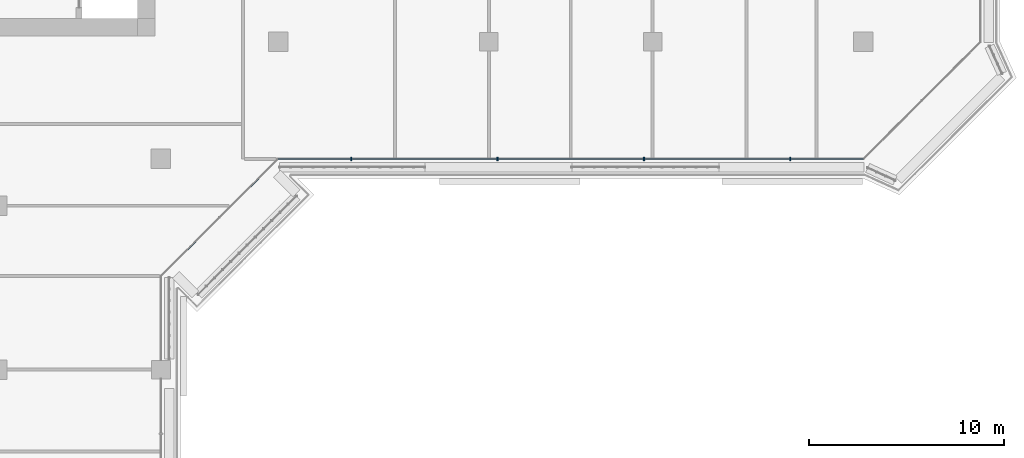
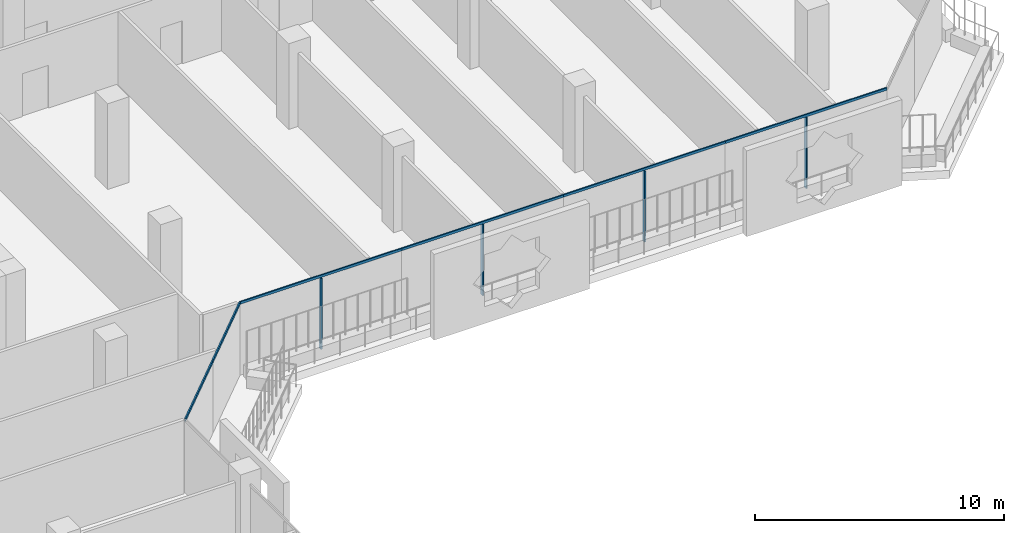
# One storey, part 3 of 21: 10 members, 2 elements without a shape of their own.
"""IFC4 building model written with IfcOpenShell, lengths in metres."""

from ifc_helpers import new_model, si_unit, direction, frame, origin, origin_2d, place, context, subcontext, project, spatial, rectangle, extrude, material, layer, layer_set, material_profile, profile_set, type_object, element, aggregate, save


model = new_model("IFC4")

# Units and contexts
model_context = context("Model", 3, precision=1e-05, world=origin(), true_north=direction((0.0, 1.0)))
body_context = subcontext(model_context, "Body", "Model", "MODEL_VIEW")
ifc_project = project(units=[si_unit("LENGTHUNIT", "METRE"), si_unit("AREAUNIT", "SQUARE_METRE"), si_unit("VOLUMEUNIT", "CUBIC_METRE"), si_unit("PLANEANGLEUNIT", "RADIAN"), si_unit("MASSUNIT", "GRAM", prefix="KILO")], contexts=[model_context])

# Site, building, storey
site_placement = place(None, origin())
site = spatial("IfcSite", under=ifc_project, at=site_placement, CompositionType="ELEMENT")
building_placement = place(site_placement, origin())
building = spatial("IfcBuilding", under=site, at=building_placement, Name="Kawkab Arch Medical Tower", CompositionType="ELEMENT")
storey_placement = place(building_placement, frame((0.0, 0.0, 200.39990234375)))
storey = spatial("IfcBuildingStorey", under=building, at=storey_placement, Name="L46", CompositionType="ELEMENT", Elevation=200.39990234375)

# Curtain wall, members
ifc_material_1 = material(Name="Bronze anodised aluminium curtain wall frame", Category="aluminium")
ifc_layer_1 = layer(ifc_material_1, 0.159912109375)
ifc_layer_set_1 = layer_set([ifc_layer_1], Name="Bronze anodised aluminium curtain wall frame")
curtain_wall_type_1 = type_object("IfcCurtainWallType", Name="CW1 ward curtain wall", PredefinedType="NOTDEFINED", material=ifc_layer_set_1)
placement = place(storey_placement, origin())
curtain_wall_1 = element("IfcCurtainWall", 1, at=placement, inside=storey, type_object=curtain_wall_type_1, Name="CW1 Ward curtain wall R07", PredefinedType="NOTDEFINED")
ifc_material_2 = material(Name="Bronze anodised aluminium curtain wall frame", Category="aluminium")
ifc_material_profile_1 = material_profile(ifc_material_2, rectangle(XDim=0.179931640625, YDim=0.06005859375, at=origin_2d()), Name="AL 60x180")
ifc_profile_set_1 = profile_set([ifc_material_profile_1], Name="Bronze anodised aluminium curtain wall frame")
member_type_1 = type_object("IfcMemberType", Name="CW1 mullion 60 x 180", PredefinedType="MULLION", material=ifc_profile_set_1)
member_1_placement = place(storey_placement, frame((34.949951171875, -31.199951171875, 0.0), z_axis=(0.0, 0.0, 1.0), x_axis=(0.0, 1.0, 0.0)))
member_1 = element("IfcMember", 2, at=member_1_placement, type_object=member_type_1, Name="CW1 mullion 1.1", PredefinedType="MULLION", context=body_context, shape_type="SweptSolid", body=[
    extrude(rectangle(XDim=0.179931640625, YDim=0.06005859375, at=origin_2d()), origin(), (0.0, 0.0, 1.0), 3.47998046875),
])
member_2_placement = place(storey_placement, frame((42.449951171875, -31.199951171875, 0.0), z_axis=(0.0, 0.0, 1.0), x_axis=(0.0, 1.0, 0.0)))
member_2 = element("IfcMember", 3, at=member_2_placement, type_object=member_type_1, Name="CW1 mullion 2.1", PredefinedType="MULLION", context=body_context, shape_type="SweptSolid", body=[
    extrude(rectangle(XDim=0.179931640625, YDim=0.06005859375, at=origin_2d()), origin(), (0.0, 0.0, 1.0), 3.47998046875),
])
member_3_placement = place(storey_placement, frame((49.949951171875, -31.199951171875, 0.0), z_axis=(0.0, 0.0, 1.0), x_axis=(0.0, 1.0, 0.0)))
member_3 = element("IfcMember", 4, at=member_3_placement, type_object=member_type_1, Name="CW1 mullion 3.1", PredefinedType="MULLION", context=body_context, shape_type="SweptSolid", body=[
    extrude(rectangle(XDim=0.179931640625, YDim=0.06005859375, at=origin_2d()), origin(), (0.0, 0.0, 1.0), 3.47998046875),
])
member_4_placement = place(storey_placement, frame((57.449951171875, -31.199951171875, 0.0), z_axis=(0.0, 0.0, 1.0), x_axis=(0.0, 1.0, 0.0)))
member_4 = element("IfcMember", 5, at=member_4_placement, type_object=member_type_1, Name="CW1 mullion 4.1", PredefinedType="MULLION", context=body_context, shape_type="SweptSolid", body=[
    extrude(rectangle(XDim=0.179931640625, YDim=0.06005859375, at=origin_2d()), origin(), (0.0, 0.0, 1.0), 3.47998046875),
])
ifc_material_3 = material(Name="Bronze anodised aluminium curtain wall frame", Category="aluminium")
ifc_material_profile_2 = material_profile(ifc_material_3, rectangle(XDim=0.06005859375, YDim=0.1201171875, at=origin_2d()), Name="AL 60x120")
ifc_profile_set_2 = profile_set([ifc_material_profile_2], Name="Bronze anodised aluminium curtain wall frame")
member_type_2 = type_object("IfcMemberType", Name="CW1 transom 120 x 60", PredefinedType="USERDEFINED", material=ifc_profile_set_2)
member_5_placement = place(storey_placement, frame((31.199951171875, -31.199951171875, 3.5400390625), z_axis=(1.0, 0.0, 0.0), x_axis=(0.0, 1.0, 0.0)))
member_5 = element("IfcMember", 6, at=member_5_placement, type_object=member_type_2, Name="CW1 transom 1", ObjectType="TRANSOM", PredefinedType="USERDEFINED", context=body_context, shape_type="SweptSolid", body=[
    extrude(rectangle(XDim=0.06005859375, YDim=0.1201171875, at=origin_2d()), origin(), (0.0, 0.0, 1.0), 7.5),
])
member_6_placement = place(storey_placement, frame((38.699951171875, -31.199951171875, 3.5400390625), z_axis=(1.0, 0.0, 0.0), x_axis=(0.0, 1.0, 0.0)))
member_6 = element("IfcMember", 7, at=member_6_placement, type_object=member_type_2, Name="CW1 transom 2", ObjectType="TRANSOM", PredefinedType="USERDEFINED", context=body_context, shape_type="SweptSolid", body=[
    extrude(rectangle(XDim=0.06005859375, YDim=0.1201171875, at=origin_2d()), origin(), (0.0, 0.0, 1.0), 7.5),
])
member_7_placement = place(storey_placement, frame((46.199951171875, -31.199951171875, 3.5400390625), z_axis=(1.0, 0.0, 0.0), x_axis=(0.0, 1.0, 0.0)))
member_7 = element("IfcMember", 8, at=member_7_placement, type_object=member_type_2, Name="CW1 transom 3", ObjectType="TRANSOM", PredefinedType="USERDEFINED", context=body_context, shape_type="SweptSolid", body=[
    extrude(rectangle(XDim=0.06005859375, YDim=0.1201171875, at=origin_2d()), origin(), (0.0, 0.0, 1.0), 7.5),
])
member_8_placement = place(storey_placement, frame((53.699951171875, -31.199951171875, 3.5400390625), z_axis=(1.0, 0.0, 0.0), x_axis=(0.0, 1.0, 0.0)))
member_8 = element("IfcMember", 9, at=member_8_placement, type_object=member_type_2, Name="CW1 transom 4", ObjectType="TRANSOM", PredefinedType="USERDEFINED", context=body_context, shape_type="SweptSolid", body=[
    extrude(rectangle(XDim=0.06005859375, YDim=0.1201171875, at=origin_2d()), origin(), (0.0, 0.0, 1.0), 7.5),
])
aggregate(curtain_wall_1, [member_5, member_1, member_6, member_2, member_7, member_3, member_8, member_4])

ifc_material_4 = material(Name="Bronze anodised aluminium curtain wall frame", Category="aluminium")
ifc_layer_2 = layer(ifc_material_4, 0.159912109375)
ifc_layer_set_2 = layer_set([ifc_layer_2], Name="Bronze anodised aluminium curtain wall frame")
curtain_wall_type_2 = type_object("IfcCurtainWallType", Name="CW2 chamfer curtain wall", PredefinedType="NOTDEFINED", material=ifc_layer_set_2)
curtain_wall_2 = element("IfcCurtainWall", 10, at=placement, inside=storey, type_object=curtain_wall_type_2, Name="CW2 Chamfer curtain wall R06", PredefinedType="NOTDEFINED")
ifc_material_5 = material(Name="Bronze anodised aluminium curtain wall frame", Category="aluminium")
ifc_material_profile_3 = material_profile(ifc_material_5, rectangle(XDim=0.06005859375, YDim=0.139892578125, at=origin_2d()), Name="AL 60x140")
ifc_profile_set_3 = profile_set([ifc_material_profile_3], Name="Bronze anodised aluminium curtain wall frame")
member_type_3 = type_object("IfcMemberType", Name="CW2 transom 140 x 60", PredefinedType="USERDEFINED", material=ifc_profile_set_3)
member_9_placement = place(storey_placement, frame((25.199951171875, -37.199951171875, 3.530029296875), z_axis=(0.707106781187, 0.707106781187, 0.0), x_axis=(-0.707106781187, 0.707106781187, 0.0)))
member_9 = element("IfcMember", 11, at=member_9_placement, type_object=member_type_3, Name="CW2 transom 1", ObjectType="TRANSOM", PredefinedType="USERDEFINED", context=body_context, shape_type="SweptSolid", body=[
    extrude(rectangle(XDim=0.06005859375, YDim=0.139892578125, at=origin_2d()), origin(), (0.0, 0.0, 1.0), 4.24267578125),
])
member_10_placement = place(storey_placement, frame((28.199951171875, -34.199951171875, 3.530029296875), z_axis=(0.707106781187, 0.707106781187, 0.0), x_axis=(-0.707106781187, 0.707106781187, 0.0)))
member_10 = element("IfcMember", 12, at=member_10_placement, type_object=member_type_3, Name="CW2 transom 2", ObjectType="TRANSOM", PredefinedType="USERDEFINED", context=body_context, shape_type="SweptSolid", body=[
    extrude(rectangle(XDim=0.06005859375, YDim=0.139892578125, at=origin_2d()), origin(), (0.0, 0.0, 1.0), 4.24267578125),
])
aggregate(curtain_wall_2, [member_9, member_10])

save(model, "model.ifc")
